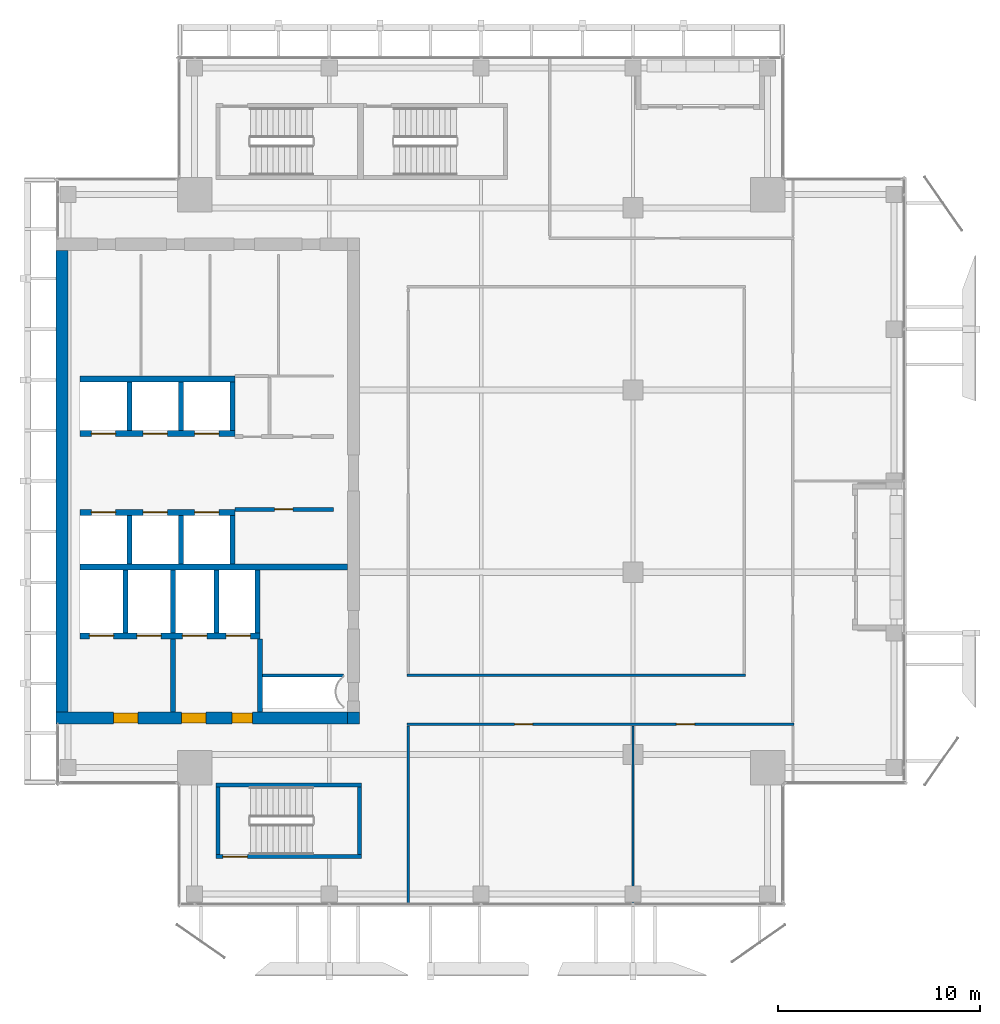
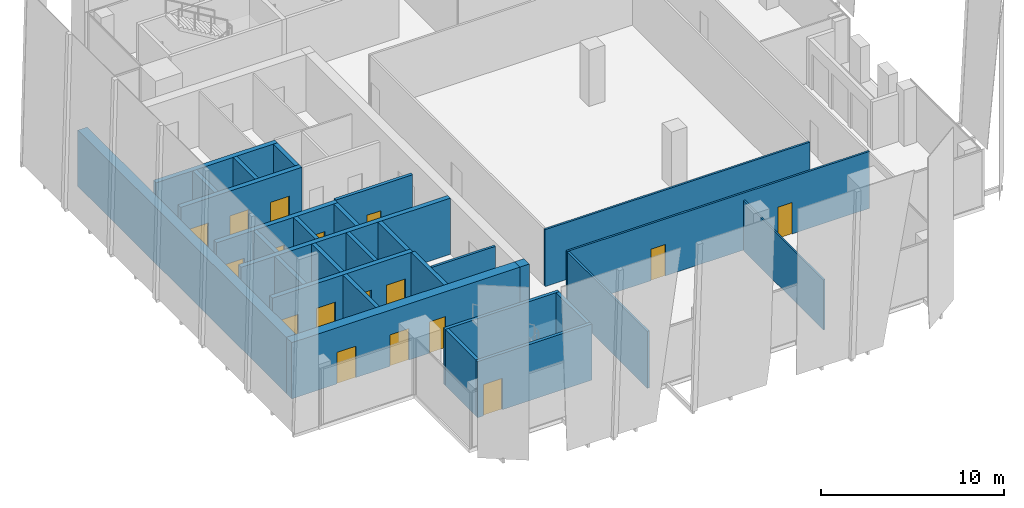
# One storey, part 26 of 32: 30 walls, 17 doors, 17 openings.
"""IFC4 building model written with IfcOpenShell, lengths in metres."""

import ifcopenshell
import ifcopenshell.guid

model = None  # the IFC model being written
_history = None  # IfcOwnerHistory: only IFC2X3 demands one
_inside = {}  # id of a spatial element -> (the spatial element, [elements in it])
_under = {}  # id of a project, library or spatial element -> (it, [spatial elements below it])
_declared = {}  # id of a project -> (the project, [libraries it declares])
_typed = {}  # id of a type object -> (the type object, [elements of that type])
_made_of = {}  # id of a material, layer set ... -> (it, [elements and type objects made of it])


def new_model(schema):
    """Start an empty IFC model of exactly this schema.

    Asked for "IFC4X3", IfcOpenShell would pick the latest addendum, in which some entities
    have other attributes; the version numbers below select the first issue.
    IFC2X3 requires an IfcOwnerHistory on every rooted entity: one is made here for all.
    """
    global model, _history
    if schema == "IFC4X3":
        model = ifcopenshell.file(schema_version=(4, 3, 0, 0))
    else:
        model = ifcopenshell.file(schema=schema)
    _inside.clear()
    _under.clear()
    _declared.clear()
    _typed.clear()
    _made_of.clear()
    _history = None
    if model.schema == "IFC2X3":
        org = make("IfcOrganization", Name="unknown")
        user = make(
            "IfcPersonAndOrganization",
            ThePerson=make("IfcPerson", FamilyName="unknown"),
            TheOrganization=org,
        )
        app = make(
            "IfcApplication",
            ApplicationDeveloper=org,
            Version="unknown",
            ApplicationFullName="unknown",
            ApplicationIdentifier="unknown",
        )
        _history = make(
            "IfcOwnerHistory",
            OwningUser=user,
            OwningApplication=app,
            ChangeAction="ADDED",
            CreationDate=0,
        )
    return model


def make(cls, **values):
    """One entity of the class cls with the attributes given. An attribute that is None is left unset."""
    return model.create_entity(
        cls, **{name: value for name, value in values.items() if value is not None}
    )


def rooted(cls, **values):
    """An entity with a GlobalId (a new one), such as an element, a storey or a relation."""
    return make(cls, GlobalId=ifcopenshell.guid.new(), OwnerHistory=_history, **values)


def si_unit(unit_type, name, prefix=None):
    """IfcSIUnit, for example si_unit("LENGTHUNIT", "METRE", prefix="MILLI")."""
    return make("IfcSIUnit", UnitType=unit_type, Prefix=prefix, Name=name)


def assignment(units):
    """IfcUnitAssignment: the units of a project."""
    return None if units is None else make("IfcUnitAssignment", Units=units)


def point(xyz):
    """IfcCartesianPoint."""
    return None if xyz is None else make("IfcCartesianPoint", Coordinates=xyz)


def direction(xyz):
    """IfcDirection."""
    return None if xyz is None else make("IfcDirection", DirectionRatios=xyz)


def frame(location, z_axis=None, x_axis=None):
    """IfcAxis2Placement3D, a coordinate frame: its origin and axes. An axis left out is left unset."""
    return make(
        "IfcAxis2Placement3D",
        Location=point(location),
        Axis=direction(z_axis),
        RefDirection=direction(x_axis),
    )


def frame_2d(location, x_axis=None):
    """IfcAxis2Placement2D, a coordinate frame in the plane: its origin and x axis."""
    return make(
        "IfcAxis2Placement2D", Location=point(location), RefDirection=direction(x_axis)
    )


def origin():
    """The frame at (0, 0, 0) with its axes left unset."""
    return frame((0.0, 0.0, 0.0))


def place(relative_to, where):
    """IfcLocalPlacement: puts the frame where relative to a parent placement (None: the world)."""
    return make(
        "IfcLocalPlacement", PlacementRelTo=relative_to, RelativePlacement=where
    )


def context(
    kind, dimensions, precision=None, world=None, true_north=None, identifier=None
):
    """IfcGeometricRepresentationContext, for example the 3D "Model" context."""
    return make(
        "IfcGeometricRepresentationContext",
        ContextIdentifier=identifier,
        ContextType=kind,
        CoordinateSpaceDimension=dimensions,
        Precision=precision,
        WorldCoordinateSystem=world,
        TrueNorth=true_north,
    )


def subcontext(parent, identifier, kind, view, scale=None):
    """IfcGeometricRepresentationSubContext, for example "Body" below "Model"."""
    return make(
        "IfcGeometricRepresentationSubContext",
        ContextIdentifier=identifier,
        ContextType=kind,
        ParentContext=parent,
        TargetScale=scale,
        TargetView=view,
    )


def project(units=None, contexts=None):
    """IfcProject with its units and contexts."""
    return rooted(
        "IfcProject",
        Name="project",
        RepresentationContexts=contexts,
        UnitsInContext=assignment(units),
    )


def spatial(cls, under=None, at=None, **own):
    """A site, building, storey or space (cls), placed at a placement, below another one or the project."""
    s = rooted(cls, ObjectPlacement=at, **own)
    if under is not None:
        _under.setdefault(under.id(), (under, []))[1].append(s)
    return s


def profile(cls, at=None, kind="AREA", **sizes):
    """A parametric profile (cls). Its sizes go by their IFC names, for example OverallWidth=200.0."""
    return make(cls, ProfileType=kind, Position=at, **sizes)


def rectangle(**sizes):
    """IfcRectangleProfileDef."""
    return profile("IfcRectangleProfileDef", **sizes)


def extrude(swept, where, along, depth):
    """IfcExtrudedAreaSolid: the profile swept, set in the frame where, extruded along a direction by depth."""
    return make(
        "IfcExtrudedAreaSolid",
        SweptArea=swept,
        Position=where,
        ExtrudedDirection=direction(along),
        Depth=depth,
    )


def shape(context_of_items, identifier, shape_type, items):
    """IfcShapeRepresentation: the items that make up one representation, for example the "Body"."""
    return make(
        "IfcShapeRepresentation",
        ContextOfItems=context_of_items,
        RepresentationIdentifier=identifier,
        RepresentationType=shape_type,
        Items=items,
    )


def source(mapping_origin, context_of_items, identifier, shape_type, items):
    """IfcRepresentationMap: a shape defined once, which mapped items show again and again."""
    return make(
        "IfcRepresentationMap",
        MappingOrigin=mapping_origin,
        MappedRepresentation=shape(context_of_items, identifier, shape_type, items),
    )


def transform(
    local_origin,
    x_axis=None,
    y_axis=None,
    z_axis=None,
    scale=None,
    scale2=None,
    scale3=None,
    uniform=True,
):
    """IfcCartesianTransformationOperator3D, or its non-uniform kind. x_axis, y_axis, z_axis: its Axis1, 2, 3."""
    if uniform:
        return make(
            "IfcCartesianTransformationOperator3D",
            Axis1=direction(x_axis),
            Axis2=direction(y_axis),
            LocalOrigin=point(local_origin),
            Scale=scale,
            Axis3=direction(z_axis),
        )
    return make(
        "IfcCartesianTransformationOperator3DnonUniform",
        Axis1=direction(x_axis),
        Axis2=direction(y_axis),
        LocalOrigin=point(local_origin),
        Scale=scale,
        Axis3=direction(z_axis),
        Scale2=scale2,
        Scale3=scale3,
    )


def mapped(mapping_source, mapping_target):
    """IfcMappedItem: shows the shape of a source again, moved by a transform."""
    return make(
        "IfcMappedItem", MappingSource=mapping_source, MappingTarget=mapping_target
    )


def material(Name=None, Category=None):
    """IfcMaterial."""
    return make("IfcMaterial", Name=Name, Category=Category)


def layer(
    of_material, thickness, ventilated=None, Name=None, Category=None, Priority=None
):
    """IfcMaterialLayer: one layer of a wall or slab, of a material (None: an air gap)."""
    return make(
        "IfcMaterialLayer",
        Material=of_material,
        LayerThickness=thickness,
        IsVentilated=ventilated,
        Name=Name,
        Category=Category,
        Priority=Priority,
    )


def layer_set(layers, Name=None):
    """IfcMaterialLayerSet."""
    return make("IfcMaterialLayerSet", MaterialLayers=layers, LayerSetName=Name)


def made_of(thing, what):
    """Note that an element or type object is made of a material, layer set ...; save() writes the relation."""
    if what is not None:
        _made_of.setdefault(what.id(), (what, []))[1].append(thing)
    return thing


def type_object(cls, material=None, **own):
    """A type object (cls), such as IfcWallType, which elements share."""
    return made_of(rooted(cls, **own), material)


def element(
    cls,
    number,
    at=None,
    inside=None,
    cuts=None,
    type_object=None,
    material=None,
    context=None,
    identifier="Body",
    shape_type=None,
    held_by="IfcProductDefinitionShape",
    body=None,
    shapes=None,
    **own,
):
    """One element of the class cls, such as IfcWall. Its Tag is "e" and its number.

    at: its placement. inside: the storey or other place that contains it. cuts: it is an
    opening in that element (IfcRelVoidsElement). A single representation is given by context,
    identifier, shape_type and body (its items); several are given by shapes. held_by: the class
    of the entity that holds the representations. save() writes the other relations.
    """
    e = rooted(cls, Tag="e%d" % number, ObjectPlacement=at, **own)
    if body is not None:
        shapes = [shape(context, identifier, shape_type, body)]
    if shapes is not None:
        e.Representation = make(held_by, Representations=shapes)
    if inside is not None:
        _inside.setdefault(inside.id(), (inside, []))[1].append(e)
    if cuts is not None:
        rooted(
            "IfcRelVoidsElement", RelatingBuildingElement=cuts, RelatedOpeningElement=e
        )
    if type_object is not None:
        _typed.setdefault(type_object.id(), (type_object, []))[1].append(e)
    return made_of(e, material)


def fill(opening, filler):
    """IfcRelFillsElement: the door or window that sits in an opening."""
    return rooted(
        "IfcRelFillsElement",
        RelatingOpeningElement=opening,
        RelatedBuildingElement=filler,
    )


def aggregate(whole, parts):
    """IfcRelAggregates: a whole, such as a stair, and the parts it consists of."""
    return rooted("IfcRelAggregates", RelatingObject=whole, RelatedObjects=parts)


def save(model, path):
    """Write the relations noted so far, then the file.

    IfcRelAggregates (storeys below a building ...), IfcRelContainedInSpatialStructure (elements
    in a storey), IfcRelDefinesByType, IfcRelAssociatesMaterial and IfcRelDeclares: one each for
    every whole, place, type object, material and project.
    """
    for whole, parts in _under.values():
        aggregate(whole, parts)
    for where, things in _inside.values():
        rooted(
            "IfcRelContainedInSpatialStructure",
            RelatedElements=things,
            RelatingStructure=where,
        )
    for kind, things in _typed.values():
        rooted("IfcRelDefinesByType", RelatedObjects=things, RelatingType=kind)
    for what, things in _made_of.values():
        rooted("IfcRelAssociatesMaterial", RelatedObjects=things, RelatingMaterial=what)
    for by, libraries in _declared.values():
        rooted("IfcRelDeclares", RelatingContext=by, RelatedDefinitions=libraries)
    model.write(path)


model = new_model("IFC4")

# Units and contexts
model_context = context("Model", 3, precision=1e-05, world=origin(), true_north=direction((0.0, 1.0)))
body_context = subcontext(model_context, "Body", "Model", "MODEL_VIEW")
ifc_project = project(units=[si_unit("LENGTHUNIT", "METRE"), si_unit("AREAUNIT", "SQUARE_METRE"), si_unit("VOLUMEUNIT", "CUBIC_METRE"), si_unit("PLANEANGLEUNIT", "RADIAN"), si_unit("MASSUNIT", "GRAM", prefix="KILO")], contexts=[model_context])

# Site, building, storey
site_placement = place(None, origin())
site = spatial("IfcSite", under=ifc_project, at=site_placement, CompositionType="ELEMENT")
building_placement = place(site_placement, origin())
building = spatial("IfcBuilding", under=site, at=building_placement, Name="Khomas Fold Tower", CompositionType="ELEMENT")
storey_placement = place(building_placement, frame((0.0, 0.0, 318.199951171875)))
storey = spatial("IfcBuildingStorey", under=building, at=storey_placement, Name="L72", CompositionType="ELEMENT", Elevation=318.199951171875)

# Wall
ifc_material_1 = material(Name="Concrete C50/60", Category="concrete")
ifc_layer_1 = layer(ifc_material_1, 0.199951171875)
ifc_layer_set_1 = layer_set([ifc_layer_1], Name="Concrete C50/60")
wall_type_1 = type_object("IfcWallType", Name="Stair wall 200", PredefinedType="SHEAR", material=ifc_layer_set_1)
shared_shape_1 = source(origin(), body_context, "Body", "SweptSolid", [
    extrude(rectangle(XDim=7.2001953125, YDim=0.199951171875, at=frame_2d((3.60009765625, 0.0))), origin(), (0.0, 0.0, 1.0), 3.75),
])
wall_1_placement = place(storey_placement, frame((13.89990234375, 12.0, 0.0), z_axis=(0.0, 0.0, 1.0), x_axis=(1.0, 0.0, 0.0)))
element("IfcWall", 1, at=wall_1_placement, inside=storey, type_object=wall_type_1, Name="Stair wall SW-ST2-NH", PredefinedType="SHEAR", context=body_context, shape_type="MappedRepresentation", body=[
    mapped(shared_shape_1, transform((0.0, 0.0, 0.0))),
])

# Wall, opening, door
wall_2_placement = place(storey_placement, frame((13.89990234375, 8.449951171875, 0.0), z_axis=(0.0, 0.0, 1.0), x_axis=(1.0, 0.0, 0.0)))
wall_2 = element("IfcWall", 2, at=wall_2_placement, inside=storey, type_object=wall_type_1, Name="Stair wall SW-ST2-S", PredefinedType="SHEAR", context=body_context, shape_type="MappedRepresentation", body=[
    mapped(shared_shape_1, transform((0.0, 0.0, 0.0))),
])
shared_shape_2 = source(origin(), body_context, "Body", "SweptSolid", [
    extrude(rectangle(XDim=1.199951171875, YDim=2.10009765625, at=frame_2d((0.60009765625, 1.050048828125))), frame((0.0, 0.10986328125, 0.0), z_axis=(0.0, -1.0, 0.0), x_axis=(1.0, 0.0, 0.0)), (0.0, 0.0, 1.0), 0.219970703125),
])
opening_1_placement = place(wall_2_placement, frame((0.35009765625, 0.0, 0.0)))
opening_1 = element("IfcOpeningElement", 3, at=opening_1_placement, cuts=wall_2, Name="Opening SD-ST2", PredefinedType="OPENING", context=body_context, shape_type="MappedRepresentation", body=[
    mapped(shared_shape_2, transform((0.0, 0.0, 0.0))),
])
ifc_material_2 = material(Name="Steel door leaf", Category="steel")
door_type_1 = type_object("IfcDoorType", Name="Stair door 1200x2100 right-hand", OperationType="SINGLE_SWING_RIGHT", PredefinedType="DOOR", material=ifc_material_2)
shared_shape_3 = source(origin(), body_context, "Body", "SweptSolid", [
    extrude(rectangle(XDim=1.199951171875, YDim=2.10009765625, at=frame_2d((0.60009765625, 1.050048828125))), frame((0.0, 0.02490234375, 0.0), z_axis=(0.0, -1.0, 0.0), x_axis=(1.0, 0.0, 0.0)), (0.0, 0.0, 1.0), 0.050048828125),
])
door_1_placement = place(opening_1_placement, origin())
door_1 = element("IfcDoor", 4, at=door_1_placement, inside=storey, type_object=door_type_1, Name="Stair door", OperationType="SINGLE_SWING_RIGHT", OverallHeight=2.10009765625, OverallWidth=1.199951171875, PredefinedType="DOOR", context=body_context, shape_type="MappedRepresentation", body=[
    mapped(shared_shape_3, transform((0.0, 0.0, 0.0))),
])
fill(opening_1, door_1)

# Walls
shared_shape_4 = source(origin(), body_context, "Body", "SweptSolid", [
    extrude(rectangle(XDim=3.349853515625, YDim=0.199951171875, at=frame_2d((1.6748046875, 0.0))), origin(), (0.0, 0.0, 1.0), 3.75),
])
for number, where, z_axis, x_axis, name in (
    (5, (21.0, 8.550048828125, 0.0), (0.0, 0.0, 1.0), (0.0, 1.0, 0.0), "Stair wall SW-ST2-E"),
    (6, (14.0, 8.550048828125, 0.0), (0.0, 0.0, 1.0), (0.0, 1.0, 0.0), "Stair wall SW-ST2-W"),
):
    element("IfcWall", number, at=place(storey_placement, frame(where, z_axis=z_axis, x_axis=x_axis)), inside=storey, type_object=wall_type_1, Name=name, PredefinedType="SHEAR", context=body_context, shape_type="MappedRepresentation", body=[
        mapped(shared_shape_4, transform((0.0, 0.0, 0.0))),
    ])
ifc_material_3 = material(Name="Concrete C50/60", Category="concrete")
ifc_layer_2 = layer(ifc_material_3, 0.25)
ifc_layer_set_2 = layer_set([ifc_layer_2], Name="Concrete C50/60")
wall_type_2 = type_object("IfcWallType", Name="Shaft wall 250", PredefinedType="STANDARD", material=ifc_layer_set_2)
shared_shape_5 = source(origin(), body_context, "Body", "SweptSolid", [
    extrude(rectangle(XDim=3.10009765625, YDim=0.25, at=frame_2d((1.550048828125, 0.0))), origin(), (0.0, 0.0, 1.0), 3.75),
])
for number, where, z_axis, x_axis, name in (
    (7, (9.425048828125, 19.5, 0.0), (0.0, 0.0, 1.0), (0.0, 1.0, 0.0), "Core wall SW-FS-P1"),
    (8, (11.77490234375, 19.5, 0.0), (0.0, 0.0, 1.0), (0.0, 1.0, 0.0), "Core wall SW-FS-P2"),
    (9, (13.925048828125, 19.5, 0.0), (0.0, 0.0, 1.0), (0.0, 1.0, 0.0), "Core wall SW-FS-P3"),
    (10, (15.949951171875, 19.5, 0.0), (0.0, 0.0, 1.0), (0.0, 1.0, 0.0), "Core wall SW-FS-PE"),
):
    element("IfcWall", number, at=place(storey_placement, frame(where, z_axis=z_axis, x_axis=x_axis)), inside=storey, type_object=wall_type_2, Name=name, PredefinedType="STANDARD", context=body_context, shape_type="MappedRepresentation", body=[
        mapped(shared_shape_5, transform((0.0, 0.0, 0.0))),
    ])
shared_shape_6 = source(origin(), body_context, "Body", "SweptSolid", [
    extrude(rectangle(XDim=2.39990234375, YDim=0.25, at=frame_2d((1.199951171875, 0.0))), origin(), (0.0, 0.0, 1.0), 3.75),
])
for number, where, z_axis, x_axis, name in (
    (11, (9.625, 29.5, 0.0), (0.0, 0.0, 1.0), (0.0, 1.0, 0.0), "Core wall SW-HRN-P1"),
    (12, (12.175048828125, 29.5, 0.0), (0.0, 0.0, 1.0), (0.0, 1.0, 0.0), "Core wall SW-HRN-P2"),
    (13, (14.72509765625, 29.5, 0.0), (0.0, 0.0, 1.0), (0.0, 1.0, 0.0), "Core wall SW-HRN-PE"),
):
    element("IfcWall", number, at=place(storey_placement, frame(where, z_axis=z_axis, x_axis=x_axis)), inside=storey, type_object=wall_type_2, Name=name, PredefinedType="STANDARD", context=body_context, shape_type="MappedRepresentation", body=[
        mapped(shared_shape_6, transform((0.0, 0.0, 0.0))),
    ])
shared_shape_7 = source(origin(), body_context, "Body", "SweptSolid", [
    extrude(rectangle(XDim=2.400146484375, YDim=0.25, at=frame_2d((1.2001953125, 0.0))), origin(), (0.0, 0.0, 1.0), 3.75),
])
for number, where, z_axis, x_axis, name in (
    (14, (9.625, 22.89990234375, 0.0), (0.0, 0.0, 1.0), (0.0, 1.0, 0.0), "Core wall SW-HRS-P1"),
    (15, (12.175048828125, 22.89990234375, 0.0), (0.0, 0.0, 1.0), (0.0, 1.0, 0.0), "Core wall SW-HRS-P2"),
    (16, (14.72509765625, 22.89990234375, 0.0), (0.0, 0.0, 1.0), (0.0, 1.0, 0.0), "Core wall SW-HRS-PE"),
):
    element("IfcWall", number, at=place(storey_placement, frame(where, z_axis=z_axis, x_axis=x_axis)), inside=storey, type_object=wall_type_2, Name=name, PredefinedType="STANDARD", context=body_context, shape_type="MappedRepresentation", body=[
        mapped(shared_shape_7, transform((0.0, 0.0, 0.0))),
    ])

# Wall, openings, doors
ifc_material_4 = material(Name="Concrete C50/60", Category="concrete")
ifc_layer_3 = layer(ifc_material_4, 0.60009765625)
ifc_layer_set_3 = layer_set([ifc_layer_3], Name="Concrete C50/60")
wall_type_3 = type_object("IfcWallType", Name="Core wall 600", PredefinedType="SHEAR", material=ifc_layer_set_3)
shared_shape_8 = source(origin(), body_context, "Body", "SweptSolid", [
    extrude(rectangle(XDim=14.39990234375, YDim=0.60009765625, at=frame_2d((7.199951171875, 0.0))), origin(), (0.0, 0.0, 1.0), 3.75),
])
wall_3_placement = place(storey_placement, frame((6.0, 15.300048828125, 0.0), z_axis=(0.0, 0.0, 1.0), x_axis=(1.0, 0.0, 0.0)))
wall_3 = element("IfcWall", 17, at=wall_3_placement, inside=storey, type_object=wall_type_3, Name="Core wall CW-U-S-L63", PredefinedType="SHEAR", context=body_context, shape_type="MappedRepresentation", body=[
    mapped(shared_shape_8, transform((0.0, 0.0, 0.0))),
])
shared_shape_9 = source(origin(), body_context, "Body", "SweptSolid", [
    extrude(rectangle(XDim=1.199951171875, YDim=2.10009765625, at=frame_2d((0.60009765625, 1.050048828125))), frame((0.0, 0.31005859375, 0.0), z_axis=(0.0, -1.0, 0.0), x_axis=(1.0, 0.0, 0.0)), (0.0, 0.0, 1.0), 0.6201171875),
])
opening_2_placement = place(wall_3_placement, frame((6.199951171875, 0.0, 0.0)))
opening_2 = element("IfcOpeningElement", 18, at=opening_2_placement, cuts=wall_3, Name="Opening 0009", PredefinedType="OPENING", context=body_context, shape_type="MappedRepresentation", body=[
    mapped(shared_shape_9, transform((0.0, 0.0, 0.0))),
])
opening_3_placement = place(wall_3_placement, frame((2.85009765625, 0.0, 0.0)))
opening_3 = element("IfcOpeningElement", 19, at=opening_3_placement, cuts=wall_3, Name="Opening 0009", PredefinedType="OPENING", context=body_context, shape_type="MappedRepresentation", body=[
    mapped(shared_shape_9, transform((0.0, 0.0, 0.0))),
])
shared_shape_10 = source(origin(), body_context, "Body", "SweptSolid", [
    extrude(rectangle(XDim=1.0, YDim=2.10009765625, at=frame_2d((0.5, 1.050048828125))), frame((0.0, 0.31005859375, 0.0), z_axis=(0.0, -1.0, 0.0), x_axis=(1.0, 0.0, 0.0)), (0.0, 0.0, 1.0), 0.6201171875),
])
opening_4_placement = place(wall_3_placement, frame((8.699951171875, 0.0, 0.0)))
opening_4 = element("IfcOpeningElement", 20, at=opening_4_placement, cuts=wall_3, Name="Opening 0010", PredefinedType="OPENING", context=body_context, shape_type="MappedRepresentation", body=[
    mapped(shared_shape_10, transform((0.0, 0.0, 0.0))),
])
ifc_material_5 = material(Name="Steel door leaf", Category="steel")
door_type_2 = type_object("IfcDoorType", Name="Stair door 1000x2100 right-hand", OperationType="SINGLE_SWING_RIGHT", PredefinedType="DOOR", material=ifc_material_5)
shared_shape_11 = source(origin(), body_context, "Body", "SweptSolid", [
    extrude(rectangle(XDim=1.0, YDim=2.10009765625, at=frame_2d((0.5, 1.050048828125))), frame((0.0, 0.25, 0.0), z_axis=(0.0, -1.0, 0.0), x_axis=(1.0, 0.0, 0.0)), (0.0, 0.0, 1.0), 0.5),
])
door_2_placement = place(opening_4_placement, origin())
door_2 = element("IfcDoor", 21, at=door_2_placement, inside=storey, type_object=door_type_2, Name="Stair door", OperationType="SINGLE_SWING_RIGHT", OverallHeight=2.10009765625, OverallWidth=1.0, PredefinedType="DOOR", context=body_context, shape_type="MappedRepresentation", body=[
    mapped(shared_shape_11, transform((0.0, 0.0, 0.0))),
])
fill(opening_4, door_2)
ifc_material_6 = material(Name="Steel door leaf", Category="steel")
door_type_3 = type_object("IfcDoorType", Name="Lobby door 1200x2100 right-hand", OperationType="SINGLE_SWING_RIGHT", PredefinedType="DOOR", material=ifc_material_6)
shared_shape_12 = source(origin(), body_context, "Body", "SweptSolid", [
    extrude(rectangle(XDim=1.199951171875, YDim=2.10009765625, at=frame_2d((0.60009765625, 1.050048828125))), frame((0.0, 0.25, 0.0), z_axis=(0.0, -1.0, 0.0), x_axis=(1.0, 0.0, 0.0)), (0.0, 0.0, 1.0), 0.5),
])
door_3_placement = place(opening_2_placement, origin())
door_3 = element("IfcDoor", 22, at=door_3_placement, inside=storey, type_object=door_type_3, Name="Lobby door", OperationType="SINGLE_SWING_RIGHT", OverallHeight=2.10009765625, OverallWidth=1.199951171875, PredefinedType="DOOR", context=body_context, shape_type="MappedRepresentation", body=[
    mapped(shared_shape_12, transform((0.0, 0.0, 0.0))),
])
fill(opening_2, door_3)
door_4_placement = place(opening_3_placement, origin())
door_4 = element("IfcDoor", 23, at=door_4_placement, inside=storey, type_object=door_type_3, Name="Lobby door", OperationType="SINGLE_SWING_RIGHT", OverallHeight=2.10009765625, OverallWidth=1.199951171875, PredefinedType="DOOR", context=body_context, shape_type="MappedRepresentation", body=[
    mapped(shared_shape_12, transform((0.0, 0.0, 0.0))),
])
fill(opening_3, door_4)

# Walls
ifc_material_7 = material(Name="Concrete C50/60", Category="concrete")
ifc_layer_4 = layer(ifc_material_7, 0.60009765625)
ifc_layer_set_4 = layer_set([ifc_layer_4], Name="Concrete C50/60")
wall_type_4 = type_object("IfcWallType", Name="Core corner wall 600", PredefinedType="SHEAR", material=ifc_layer_set_4)
shared_shape_13 = source(origin(), body_context, "Body", "SweptSolid", [
    extrude(rectangle(XDim=0.60009765625, YDim=0.60009765625, at=frame_2d((0.300048828125, 0.0))), origin(), (0.0, 0.0, 1.0), 3.75),
])
wall_4_placement = place(storey_placement, frame((20.39990234375, 15.300048828125, 0.0), z_axis=(0.0, 0.0, 1.0), x_axis=(1.0, 0.0, 0.0)))
element("IfcWall", 24, at=wall_4_placement, inside=storey, type_object=wall_type_4, Name="Core wall CW-U-SE-L63", PredefinedType="SHEAR", context=body_context, shape_type="MappedRepresentation", body=[
    mapped(shared_shape_13, transform((0.0, 0.0, 0.0))),
])
shared_shape_14 = source(origin(), body_context, "Body", "SweptSolid", [
    extrude(rectangle(XDim=22.7998046875, YDim=0.60009765625, at=frame_2d((11.39990234375, 0.0))), origin(), (0.0, 0.0, 1.0), 3.75),
])
wall_5_placement = place(storey_placement, frame((6.300048828125, 15.60009765625, 0.0), z_axis=(0.0, 0.0, 1.0), x_axis=(0.0, 1.0, 0.0)))
element("IfcWall", 25, at=wall_5_placement, inside=storey, type_object=wall_type_3, Name="Core wall CW-U-W-L63", PredefinedType="SHEAR", context=body_context, shape_type="MappedRepresentation", body=[
    mapped(shared_shape_14, transform((0.0, 0.0, 0.0))),
])
ifc_material_8 = material(Name="Concrete C50/60", Category="concrete")
ifc_layer_5 = layer(ifc_material_8, 0.300048828125)
ifc_layer_set_5 = layer_set([ifc_layer_5], Name="Concrete C50/60")
wall_type_5 = type_object("IfcWallType", Name="Shaft wall 300", PredefinedType="STANDARD", material=ifc_layer_set_5)
shared_shape_15 = source(origin(), body_context, "Body", "SweptSolid", [
    extrude(rectangle(XDim=13.199951171875, YDim=0.300048828125, at=frame_2d((6.60009765625, 0.0))), origin(), (0.0, 0.0, 1.0), 3.75),
])
wall_6_placement = place(storey_placement, frame((7.199951171875, 22.75, 0.0), z_axis=(0.0, 0.0, 1.0), x_axis=(1.0, 0.0, 0.0)))
element("IfcWall", 26, at=wall_6_placement, inside=storey, type_object=wall_type_5, Name="Core wall SW-FS-B", PredefinedType="STANDARD", context=body_context, shape_type="MappedRepresentation", body=[
    mapped(shared_shape_15, transform((0.0, 0.0, 0.0))),
])

# Wall, openings, doors
shared_shape_16 = source(origin(), body_context, "Body", "SweptSolid", [
    extrude(rectangle(XDim=8.875, YDim=0.300048828125, at=frame_2d((4.4375, 0.0))), origin(), (0.0, 0.0, 1.0), 3.75),
])
wall_7_placement = place(storey_placement, frame((7.199951171875, 19.35009765625, 0.0), z_axis=(0.0, 0.0, 1.0), x_axis=(1.0, 0.0, 0.0)))
wall_7 = element("IfcWall", 27, at=wall_7_placement, inside=storey, type_object=wall_type_5, Name="Core wall SW-FS-F", PredefinedType="STANDARD", context=body_context, shape_type="MappedRepresentation", body=[
    mapped(shared_shape_16, transform((0.0, 0.0, 0.0))),
])
shared_shape_17 = source(origin(), body_context, "Body", "SweptSolid", [
    extrude(rectangle(XDim=1.199951171875, YDim=2.10009765625, at=frame_2d((0.60009765625, 1.050048828125))), frame((0.0, 0.159912109375, 0.0), z_axis=(0.0, -1.0, 0.0), x_axis=(1.0, 0.0, 0.0)), (0.0, 0.0, 1.0), 0.320068359375),
])
opening_5_placement = place(wall_7_placement, frame((0.449951171875, 0.0, 0.0)))
opening_5 = element("IfcOpeningElement", 28, at=opening_5_placement, cuts=wall_7, Name="Opening LD-SV1", PredefinedType="OPENING", context=body_context, shape_type="MappedRepresentation", body=[
    mapped(shared_shape_17, transform((0.0, 0.0, 0.0))),
])
opening_6_placement = place(wall_7_placement, frame((2.800048828125, 0.0, 0.0)))
opening_6 = element("IfcOpeningElement", 29, at=opening_6_placement, cuts=wall_7, Name="Opening LD-SV2", PredefinedType="OPENING", context=body_context, shape_type="MappedRepresentation", body=[
    mapped(shared_shape_17, transform((0.0, 0.0, 0.0))),
])
opening_7_placement = place(wall_7_placement, frame((5.050048828125, 0.0, 0.0)))
opening_7 = element("IfcOpeningElement", 30, at=opening_7_placement, cuts=wall_7, Name="Opening LD-FF1", PredefinedType="OPENING", context=body_context, shape_type="MappedRepresentation", body=[
    mapped(shared_shape_17, transform((0.0, 0.0, 0.0))),
])
opening_8_placement = place(wall_7_placement, frame((7.199951171875, 0.0, 0.0)))
opening_8 = element("IfcOpeningElement", 31, at=opening_8_placement, cuts=wall_7, Name="Opening LD-FF2", PredefinedType="OPENING", context=body_context, shape_type="MappedRepresentation", body=[
    mapped(shared_shape_17, transform((0.0, 0.0, 0.0))),
])
ifc_material_9 = material(Name="Steel door leaf", Category="steel")
door_type_4 = type_object("IfcDoorType", Name="Landing door 1200x2100", OperationType="DOUBLE_DOOR_SLIDING", PredefinedType="DOOR", material=ifc_material_9)
door_5_placement = place(opening_5_placement, origin())
door_5 = element("IfcDoor", 32, at=door_5_placement, inside=storey, type_object=door_type_4, Name="Lift landing door", OperationType="DOUBLE_DOOR_SLIDING", OverallHeight=2.10009765625, OverallWidth=1.199951171875, PredefinedType="DOOR", context=body_context, shape_type="MappedRepresentation", body=[
    mapped(shared_shape_3, transform((0.0, 0.0, 0.0))),
])
fill(opening_5, door_5)
door_6_placement = place(opening_6_placement, origin())
door_6 = element("IfcDoor", 33, at=door_6_placement, inside=storey, type_object=door_type_4, Name="Lift landing door", OperationType="DOUBLE_DOOR_SLIDING", OverallHeight=2.10009765625, OverallWidth=1.199951171875, PredefinedType="DOOR", context=body_context, shape_type="MappedRepresentation", body=[
    mapped(shared_shape_3, transform((0.0, 0.0, 0.0))),
])
fill(opening_6, door_6)
door_7_placement = place(opening_7_placement, origin())
door_7 = element("IfcDoor", 34, at=door_7_placement, inside=storey, type_object=door_type_4, Name="Lift landing door", OperationType="DOUBLE_DOOR_SLIDING", OverallHeight=2.10009765625, OverallWidth=1.199951171875, PredefinedType="DOOR", context=body_context, shape_type="MappedRepresentation", body=[
    mapped(shared_shape_3, transform((0.0, 0.0, 0.0))),
])
fill(opening_7, door_7)
door_8_placement = place(opening_8_placement, origin())
door_8 = element("IfcDoor", 35, at=door_8_placement, inside=storey, type_object=door_type_4, Name="Lift landing door", OperationType="DOUBLE_DOOR_SLIDING", OverallHeight=2.10009765625, OverallWidth=1.199951171875, PredefinedType="DOOR", context=body_context, shape_type="MappedRepresentation", body=[
    mapped(shared_shape_3, transform((0.0, 0.0, 0.0))),
])
fill(opening_8, door_8)

# Wall
shared_shape_18 = source(origin(), body_context, "Body", "SweptSolid", [
    extrude(rectangle(XDim=7.650146484375, YDim=0.300048828125, at=frame_2d((3.8251953125, 0.0))), origin(), (0.0, 0.0, 1.0), 3.75),
])
wall_8_placement = place(storey_placement, frame((7.199951171875, 32.050048828125, 0.0), z_axis=(0.0, 0.0, 1.0), x_axis=(1.0, 0.0, 0.0)))
element("IfcWall", 36, at=wall_8_placement, inside=storey, type_object=wall_type_5, Name="Core wall SW-HRN-B", PredefinedType="STANDARD", context=body_context, shape_type="MappedRepresentation", body=[
    mapped(shared_shape_18, transform((0.0, 0.0, 0.0))),
])

# Wall, openings, doors
wall_9_placement = place(storey_placement, frame((7.199951171875, 29.35009765625, 0.0), z_axis=(0.0, 0.0, 1.0), x_axis=(1.0, 0.0, 0.0)))
wall_9 = element("IfcWall", 37, at=wall_9_placement, inside=storey, type_object=wall_type_5, Name="Core wall SW-HRN-F", PredefinedType="STANDARD", context=body_context, shape_type="MappedRepresentation", body=[
    mapped(shared_shape_18, transform((0.0, 0.0, 0.0))),
])
opening_9_placement = place(wall_9_placement, frame((0.550048828125, 0.0, 0.0)))
opening_9 = element("IfcOpeningElement", 38, at=opening_9_placement, cuts=wall_9, Name="Opening LD-HR4", PredefinedType="OPENING", context=body_context, shape_type="MappedRepresentation", body=[
    mapped(shared_shape_17, transform((0.0, 0.0, 0.0))),
])
opening_10_placement = place(wall_9_placement, frame((3.10009765625, 0.0, 0.0)))
opening_10 = element("IfcOpeningElement", 39, at=opening_10_placement, cuts=wall_9, Name="Opening LD-HR5", PredefinedType="OPENING", context=body_context, shape_type="MappedRepresentation", body=[
    mapped(shared_shape_17, transform((0.0, 0.0, 0.0))),
])
opening_11_placement = place(wall_9_placement, frame((5.64990234375, 0.0, 0.0)))
opening_11 = element("IfcOpeningElement", 40, at=opening_11_placement, cuts=wall_9, Name="Opening LD-HR6", PredefinedType="OPENING", context=body_context, shape_type="MappedRepresentation", body=[
    mapped(shared_shape_17, transform((0.0, 0.0, 0.0))),
])
door_9_placement = place(opening_9_placement, origin())
door_9 = element("IfcDoor", 41, at=door_9_placement, inside=storey, type_object=door_type_4, Name="Lift landing door", OperationType="DOUBLE_DOOR_SLIDING", OverallHeight=2.10009765625, OverallWidth=1.199951171875, PredefinedType="DOOR", context=body_context, shape_type="MappedRepresentation", body=[
    mapped(shared_shape_3, transform((0.0, 0.0, 0.0))),
])
fill(opening_9, door_9)
door_10_placement = place(opening_10_placement, origin())
door_10 = element("IfcDoor", 42, at=door_10_placement, inside=storey, type_object=door_type_4, Name="Lift landing door", OperationType="DOUBLE_DOOR_SLIDING", OverallHeight=2.10009765625, OverallWidth=1.199951171875, PredefinedType="DOOR", context=body_context, shape_type="MappedRepresentation", body=[
    mapped(shared_shape_3, transform((0.0, 0.0, 0.0))),
])
fill(opening_10, door_10)
door_11_placement = place(opening_11_placement, origin())
door_11 = element("IfcDoor", 43, at=door_11_placement, inside=storey, type_object=door_type_4, Name="Lift landing door", OperationType="DOUBLE_DOOR_SLIDING", OverallHeight=2.10009765625, OverallWidth=1.199951171875, PredefinedType="DOOR", context=body_context, shape_type="MappedRepresentation", body=[
    mapped(shared_shape_3, transform((0.0, 0.0, 0.0))),
])
fill(opening_11, door_11)

wall_10_placement = place(storey_placement, frame((7.199951171875, 25.449951171875, 0.0), z_axis=(0.0, 0.0, 1.0), x_axis=(1.0, 0.0, 0.0)))
wall_10 = element("IfcWall", 44, at=wall_10_placement, inside=storey, type_object=wall_type_5, Name="Core wall SW-HRS-F", PredefinedType="STANDARD", context=body_context, shape_type="MappedRepresentation", body=[
    mapped(shared_shape_18, transform((0.0, 0.0, 0.0))),
])
opening_12_placement = place(wall_10_placement, frame((0.550048828125, 0.0, 0.0)))
opening_12 = element("IfcOpeningElement", 45, at=opening_12_placement, cuts=wall_10, Name="Opening LD-HR1", PredefinedType="OPENING", context=body_context, shape_type="MappedRepresentation", body=[
    mapped(shared_shape_17, transform((0.0, 0.0, 0.0))),
])
opening_13_placement = place(wall_10_placement, frame((3.10009765625, 0.0, 0.0)))
opening_13 = element("IfcOpeningElement", 46, at=opening_13_placement, cuts=wall_10, Name="Opening LD-HR2", PredefinedType="OPENING", context=body_context, shape_type="MappedRepresentation", body=[
    mapped(shared_shape_17, transform((0.0, 0.0, 0.0))),
])
opening_14_placement = place(wall_10_placement, frame((5.64990234375, 0.0, 0.0)))
opening_14 = element("IfcOpeningElement", 47, at=opening_14_placement, cuts=wall_10, Name="Opening LD-HR3", PredefinedType="OPENING", context=body_context, shape_type="MappedRepresentation", body=[
    mapped(shared_shape_17, transform((0.0, 0.0, 0.0))),
])
door_12_placement = place(opening_12_placement, origin())
door_12 = element("IfcDoor", 48, at=door_12_placement, inside=storey, type_object=door_type_4, Name="Lift landing door", OperationType="DOUBLE_DOOR_SLIDING", OverallHeight=2.10009765625, OverallWidth=1.199951171875, PredefinedType="DOOR", context=body_context, shape_type="MappedRepresentation", body=[
    mapped(shared_shape_3, transform((0.0, 0.0, 0.0))),
])
fill(opening_12, door_12)
door_13_placement = place(opening_13_placement, origin())
door_13 = element("IfcDoor", 49, at=door_13_placement, inside=storey, type_object=door_type_4, Name="Lift landing door", OperationType="DOUBLE_DOOR_SLIDING", OverallHeight=2.10009765625, OverallWidth=1.199951171875, PredefinedType="DOOR", context=body_context, shape_type="MappedRepresentation", body=[
    mapped(shared_shape_3, transform((0.0, 0.0, 0.0))),
])
fill(opening_13, door_13)
door_14_placement = place(opening_14_placement, origin())
door_14 = element("IfcDoor", 50, at=door_14_placement, inside=storey, type_object=door_type_4, Name="Lift landing door", OperationType="DOUBLE_DOOR_SLIDING", OverallHeight=2.10009765625, OverallWidth=1.199951171875, PredefinedType="DOOR", context=body_context, shape_type="MappedRepresentation", body=[
    mapped(shared_shape_3, transform((0.0, 0.0, 0.0))),
])
fill(opening_14, door_14)

# Walls
ifc_material_10 = material(Name="Concrete C50/60", Category="concrete")
ifc_layer_6 = layer(ifc_material_10, 0.25)
ifc_layer_set_6 = layer_set([ifc_layer_6], Name="Concrete C50/60")
wall_type_6 = type_object("IfcWallType", Name="Lobby wall 250", PredefinedType="STANDARD", material=ifc_layer_set_6)
shared_shape_19 = source(origin(), body_context, "Body", "SweptSolid", [
    extrude(rectangle(XDim=3.599853515625, YDim=0.25, at=frame_2d((1.7998046875, 0.0))), origin(), (0.0, 0.0, 1.0), 3.75),
])
for number, where, z_axis, x_axis, name in (
    (51, (16.074951171875, 15.60009765625, 0.0), (0.0, 0.0, 1.0), (0.0, 1.0, 0.0), "Core wall SW-FS-LOB-E"),
    (52, (11.77490234375, 15.60009765625, 0.0), (0.0, 0.0, 1.0), (0.0, 1.0, 0.0), "Core wall SW-FS-SEP"),
):
    element("IfcWall", number, at=place(storey_placement, frame(where, z_axis=z_axis, x_axis=x_axis)), inside=storey, type_object=wall_type_6, Name=name, PredefinedType="STANDARD", context=body_context, shape_type="MappedRepresentation", body=[
        mapped(shared_shape_19, transform((0.0, 0.0, 0.0))),
    ])
ifc_material_11 = material(Name="Plasterboard fire partition")
ifc_layer_7 = layer(ifc_material_11, 0.14990234375)
ifc_layer_set_7 = layer_set([ifc_layer_7], Name="Plasterboard fire partition")
wall_type_7 = type_object("IfcWallType", Name="Plant room wall PW3 150", PredefinedType="PARTITIONING", material=ifc_layer_set_7)
shared_shape_20 = source(origin(), body_context, "Body", "SweptSolid", [
    extrude(rectangle(XDim=4.0, YDim=0.14990234375, at=frame_2d((2.0, 0.0))), origin(), (0.0, 0.0, 1.0), 3.800048828125),
])
wall_11_placement = place(storey_placement, frame((16.199951171875, 17.39990234375, 0.0), z_axis=(0.0, 0.0, 1.0), x_axis=(1.0, 0.0, 0.0)))
element("IfcWall", 53, at=wall_11_placement, inside=storey, type_object=wall_type_7, Name="Plant room wall", PredefinedType="PARTITIONING", context=body_context, shape_type="MappedRepresentation", body=[
    mapped(shared_shape_20, transform((0.0, 0.0, 0.0))),
])

# Wall, opening, door
ifc_material_12 = material(Name="Concrete C30/37", Category="concrete")
ifc_layer_8 = layer(ifc_material_12, 0.199951171875)
ifc_layer_set_8 = layer_set([ifc_layer_8], Name="Concrete C30/37")
wall_type_8 = type_object("IfcWallType", Name="Lobby wall PW4 200", PredefinedType="PARTITIONING", material=ifc_layer_set_8)
shared_shape_21 = source(origin(), body_context, "Body", "SweptSolid", [
    extrude(rectangle(XDim=4.849853515625, YDim=0.199951171875, at=frame_2d((2.4248046875, 0.0))), origin(), (0.0, 0.0, 1.0), 3.800048828125),
])
wall_12_placement = place(storey_placement, frame((14.85009765625, 25.60009765625, 0.0), z_axis=(0.0, 0.0, 1.0), x_axis=(1.0, 0.0, 0.0)))
wall_12 = element("IfcWall", 54, at=wall_12_placement, inside=storey, type_object=wall_type_8, Name="Lobby wall", PredefinedType="PARTITIONING", context=body_context, shape_type="MappedRepresentation", body=[
    mapped(shared_shape_21, transform((0.0, 0.0, 0.0))),
])
shared_shape_22 = source(origin(), body_context, "Body", "SweptSolid", [
    extrude(rectangle(XDim=0.89990234375, YDim=2.10009765625, at=frame_2d((0.449951171875, 1.050048828125))), frame((0.0, 0.10986328125, 0.0), z_axis=(0.0, -1.0, 0.0), x_axis=(1.0, 0.0, 0.0)), (0.0, 0.0, 1.0), 0.219970703125),
])
opening_15_placement = place(wall_12_placement, frame((1.949951171875, 0.0, 0.0)))
opening_15 = element("IfcOpeningElement", 55, at=opening_15_placement, cuts=wall_12, Name="Opening 0003", PredefinedType="OPENING", context=body_context, shape_type="MappedRepresentation", body=[
    mapped(shared_shape_22, transform((0.0, 0.0, 0.0))),
])
ifc_material_13 = material(Name="Steel door leaf", Category="steel")
door_type_5 = type_object("IfcDoorType", Name="Plant room door 900x2100 right-hand", OperationType="SINGLE_SWING_RIGHT", PredefinedType="DOOR", material=ifc_material_13)
shared_shape_23 = source(origin(), body_context, "Body", "SweptSolid", [
    extrude(rectangle(XDim=0.89990234375, YDim=2.10009765625, at=frame_2d((0.449951171875, 1.050048828125))), frame((0.0, 0.02490234375, 0.0), z_axis=(0.0, -1.0, 0.0), x_axis=(1.0, 0.0, 0.0)), (0.0, 0.0, 1.0), 0.050048828125),
])
door_15_placement = place(opening_15_placement, origin())
door_15 = element("IfcDoor", 56, at=door_15_placement, inside=storey, type_object=door_type_5, Name="Plant room door", OperationType="SINGLE_SWING_RIGHT", OverallHeight=2.10009765625, OverallWidth=0.89990234375, PredefinedType="DOOR", context=body_context, shape_type="MappedRepresentation", body=[
    mapped(shared_shape_23, transform((0.0, 0.0, 0.0))),
])
fill(opening_15, door_15)

# Walls
ifc_material_14 = material(Name="Plasterboard partition")
ifc_layer_9 = layer(ifc_material_14, 0.125)
ifc_layer_set_9 = layer_set([ifc_layer_9], Name="Plasterboard partition")
wall_type_9 = type_object("IfcWallType", Name="Partition PW2 125", PredefinedType="PARTITIONING", material=ifc_layer_set_9)
shared_shape_24 = source(origin(), body_context, "Body", "SweptSolid", [
    extrude(rectangle(XDim=8.75, YDim=0.125, at=frame_2d((4.375, 0.0))), origin(), (0.0, 0.0, 1.0), 3.800048828125),
])
wall_13_placement = place(storey_placement, frame((23.39990234375, 6.14990234375, 0.0), z_axis=(0.0, 0.0, 1.0), x_axis=(0.0, 1.0, 0.0)))
element("IfcWall", 57, at=wall_13_placement, inside=storey, type_object=wall_type_9, Name="Partition", PredefinedType="PARTITIONING", context=body_context, shape_type="MappedRepresentation", body=[
    mapped(shared_shape_24, transform((0.0, 0.0, 0.0))),
])
ifc_material_15 = material(Name="Plasterboard partition")
ifc_layer_10 = layer(ifc_material_15, 0.10009765625)
ifc_layer_set_10 = layer_set([ifc_layer_10], Name="Plasterboard partition")
wall_type_10 = type_object("IfcWallType", Name="Partition PW1 100", PredefinedType="PARTITIONING", material=ifc_layer_set_10)
shared_shape_25 = source(origin(), body_context, "Body", "SweptSolid", [
    extrude(rectangle(XDim=8.75, YDim=0.10009765625, at=frame_2d((4.375, 0.0))), origin(), (0.0, 0.0, 1.0), 3.35009765625),
])
wall_14_placement = place(storey_placement, frame((34.5, 6.14990234375, 0.0), z_axis=(0.0, 0.0, 1.0), x_axis=(0.0, 1.0, 0.0)))
element("IfcWall", 58, at=wall_14_placement, inside=storey, type_object=wall_type_10, Name="Partition", PredefinedType="PARTITIONING", context=body_context, shape_type="MappedRepresentation", body=[
    mapped(shared_shape_25, transform((0.0, 0.0, 0.0))),
])

# Wall, openings, doors
shared_shape_26 = source(origin(), body_context, "Body", "SweptSolid", [
    extrude(rectangle(XDim=19.099853515625, YDim=0.125, at=frame_2d((9.5498046875, 0.0))), origin(), (0.0, 0.0, 1.0), 3.800048828125),
])
wall_15_placement = place(storey_placement, frame((23.35009765625, 15.0, 0.0), z_axis=(0.0, 0.0, 1.0), x_axis=(1.0, 0.0, 0.0)))
wall_15 = element("IfcWall", 59, at=wall_15_placement, inside=storey, type_object=wall_type_9, Name="Partition", PredefinedType="PARTITIONING", context=body_context, shape_type="MappedRepresentation", body=[
    mapped(shared_shape_26, transform((0.0, 0.0, 0.0))),
])
shared_shape_27 = source(origin(), body_context, "Body", "SweptSolid", [
    extrude(rectangle(XDim=0.89990234375, YDim=2.10009765625, at=frame_2d((0.449951171875, 1.050048828125))), frame((0.0, 0.072509765625, 0.0), z_axis=(0.0, -1.0, 0.0), x_axis=(1.0, 0.0, 0.0)), (0.0, 0.0, 1.0), 0.14501953125),
])
opening_16_placement = place(wall_15_placement, frame((5.300048828125, 0.0, 0.0)))
opening_16 = element("IfcOpeningElement", 60, at=opening_16_placement, cuts=wall_15, Name="Opening 0008", PredefinedType="OPENING", context=body_context, shape_type="MappedRepresentation", body=[
    mapped(shared_shape_27, transform((0.0, 0.0, 0.0))),
])
opening_17_placement = place(wall_15_placement, frame((13.300048828125, 0.0, 0.0)))
opening_17 = element("IfcOpeningElement", 61, at=opening_17_placement, cuts=wall_15, Name="Opening 0007", PredefinedType="OPENING", context=body_context, shape_type="MappedRepresentation", body=[
    mapped(shared_shape_27, transform((0.0, 0.0, 0.0))),
])
ifc_material_16 = material(Name="Timber door leaf", Category="wood")
door_type_6 = type_object("IfcDoorType", Name="Door 900x2100 right-hand", OperationType="SINGLE_SWING_RIGHT", PredefinedType="DOOR", material=ifc_material_16)
door_16_placement = place(opening_16_placement, origin())
door_16 = element("IfcDoor", 62, at=door_16_placement, inside=storey, type_object=door_type_6, Name="Door", OperationType="SINGLE_SWING_RIGHT", OverallHeight=2.10009765625, OverallWidth=0.89990234375, PredefinedType="DOOR", context=body_context, shape_type="MappedRepresentation", body=[
    mapped(shared_shape_23, transform((0.0, 0.0, 0.0))),
])
fill(opening_16, door_16)
ifc_material_17 = material(Name="Timber door leaf", Category="wood")
door_type_7 = type_object("IfcDoorType", Name="Door 900x2100 left-hand", OperationType="SINGLE_SWING_LEFT", PredefinedType="DOOR", material=ifc_material_17)
door_17_placement = place(opening_17_placement, origin())
door_17 = element("IfcDoor", 63, at=door_17_placement, inside=storey, type_object=door_type_7, Name="Door", OperationType="SINGLE_SWING_LEFT", OverallHeight=2.10009765625, OverallWidth=0.89990234375, PredefinedType="DOOR", context=body_context, shape_type="MappedRepresentation", body=[
    mapped(shared_shape_23, transform((0.0, 0.0, 0.0))),
])
fill(opening_17, door_17)

# Wall
shared_shape_28 = source(origin(), body_context, "Body", "SweptSolid", [
    extrude(rectangle(XDim=16.699951171875, YDim=0.125, at=frame_2d((8.35009765625, 0.0))), origin(), (0.0, 0.0, 1.0), 3.800048828125),
])
wall_16_placement = place(storey_placement, frame((23.35009765625, 17.39990234375, 0.0), z_axis=(0.0, 0.0, 1.0), x_axis=(1.0, 0.0, 0.0)))
element("IfcWall", 64, at=wall_16_placement, inside=storey, type_object=wall_type_9, Name="Partition", PredefinedType="PARTITIONING", context=body_context, shape_type="MappedRepresentation", body=[
    mapped(shared_shape_28, transform((0.0, 0.0, 0.0))),
])

save(model, "model.ifc")
